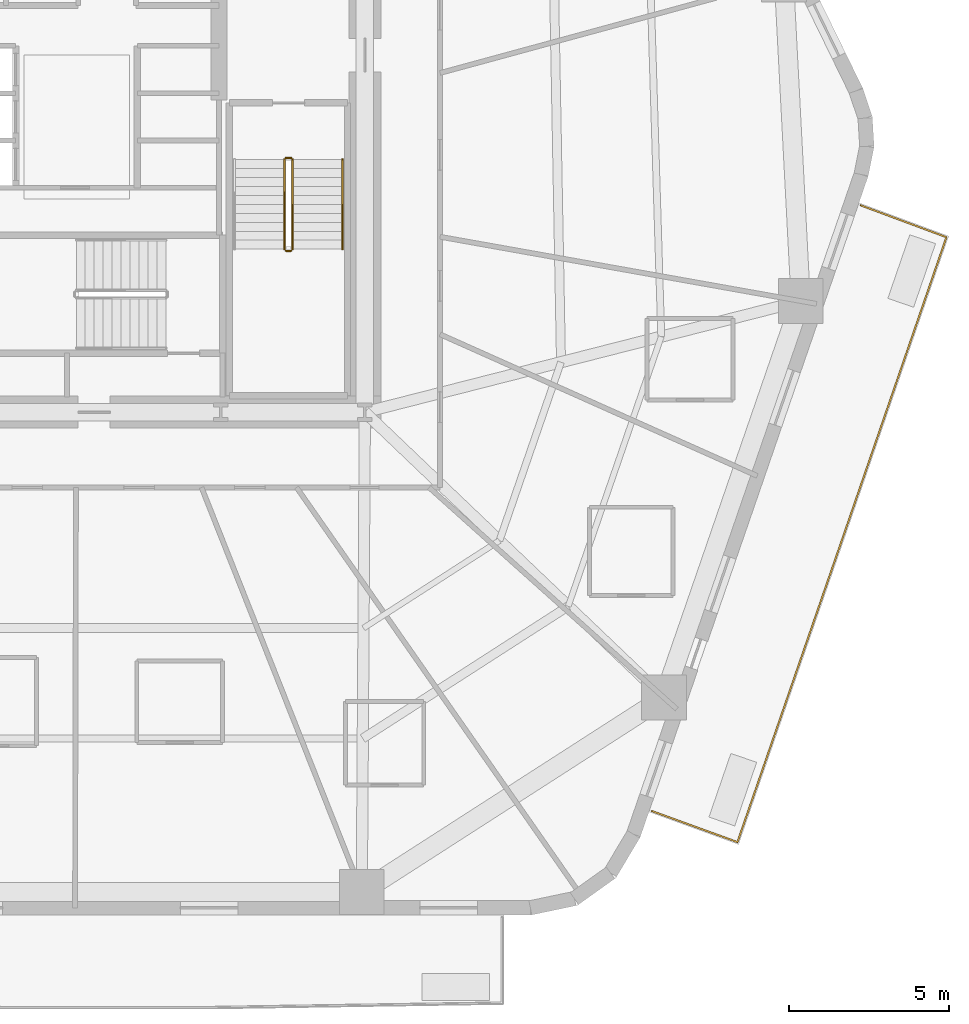
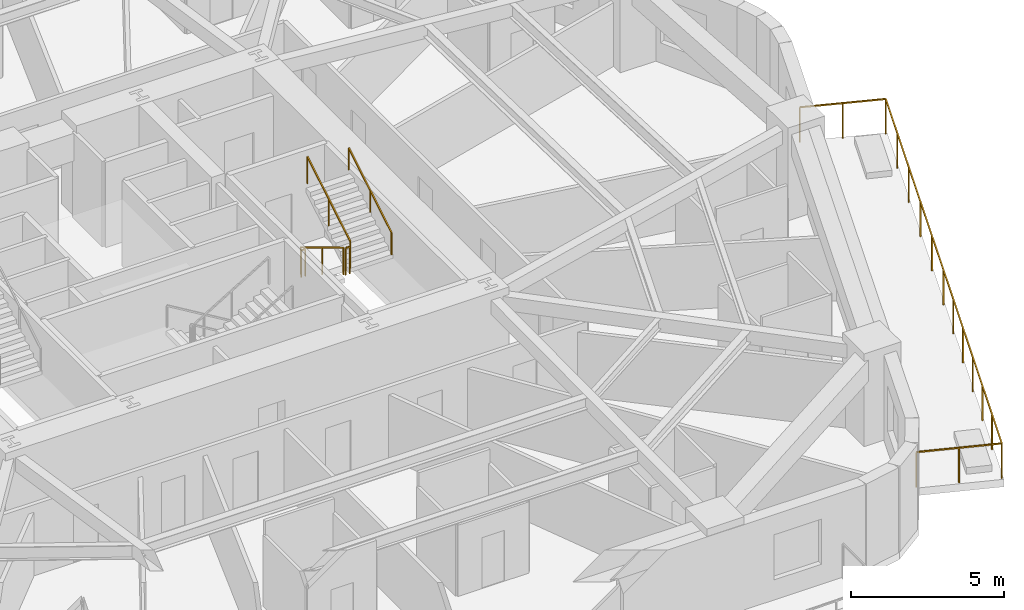
# One storey, part 10 of 11: 6 railings.
"""IFC4 building model written with IfcOpenShell, lengths in metres."""

from ifc_helpers import new_model, si_unit, direction, frame, origin, origin_2d, place, context, subcontext, project, spatial, rectangle, extrude, material, layer, layer_set, type_object, element, save


model = new_model("IFC4")

# Units and contexts
model_context = context("Model", 3, precision=1e-05, world=origin(), true_north=direction((0.0, 1.0)))
body_context = subcontext(model_context, "Body", "Model", "MODEL_VIEW")
ifc_project = project(units=[si_unit("LENGTHUNIT", "METRE"), si_unit("AREAUNIT", "SQUARE_METRE"), si_unit("VOLUMEUNIT", "CUBIC_METRE"), si_unit("PLANEANGLEUNIT", "RADIAN"), si_unit("MASSUNIT", "GRAM", prefix="KILO")], contexts=[model_context])

# Site, building, storey
site_placement = place(None, origin())
site = spatial("IfcSite", under=ifc_project, at=site_placement, CompositionType="ELEMENT")
building_placement = place(site_placement, origin())
building = spatial("IfcBuilding", under=site, at=building_placement, Name="Kilnhurst Terrace Hotel", CompositionType="ELEMENT")
storey_placement = place(building_placement, frame((0.0, 0.0, 34.199951171875)))
storey = spatial("IfcBuildingStorey", under=building, at=storey_placement, Name="L06", CompositionType="ELEMENT", Elevation=34.199951171875)

# Railings
ifc_material_1 = material(Name="Laminated SentryGlas and Stainless Steel AISI 316L Balustrade", Category="steel")
ifc_layer_1 = layer(ifc_material_1, 0.070068359375, Name="Laminated SentryGlas and Stainless Steel AISI 316L Balustrade")
ifc_layer_set_1 = layer_set([ifc_layer_1], Name="Laminated SentryGlas and Stainless Steel AISI 316L Balustrade")
railing_type_1 = type_object("IfcRailingType", Name="RLG-BAL-1420", PredefinedType="BALUSTRADE", material=ifc_layer_set_1)
railing_1_placement = place(storey_placement, frame((24.485107421875, -1.041748046875, 0.0)))
element("IfcRailing", 1, at=railing_1_placement, inside=storey, type_object=railing_type_1, Name="L06 Exterior Terrace Guardrail BAL-L1B.1", PredefinedType="BALUSTRADE", context=body_context, shape_type="SweptSolid", body=[
    extrude(rectangle(XDim=0.048095703125, YDim=0.048095703125, at=origin_2d()), frame((0.0, 0.0, 1.39599609375), z_axis=(0.937279097592, -0.348579823308, 0.0), x_axis=(0.348579823308, 0.937279097592, 0.0)), (0.0, 0.0, 1.0), 2.85205078125),
    extrude(rectangle(XDim=0.048095703125, YDim=0.048095703125, at=origin_2d()), frame((2.673095703125, -0.994140625, 1.39599609375), z_axis=(-0.326159116329, -0.945314884488, 0.0), x_axis=(0.945314884488, -0.326159116329, 0.0)), (0.0, 0.0, 1.0), 9.91650390625),
    extrude(rectangle(XDim=0.048095703125, YDim=0.048095703125, at=origin_2d()), frame((-0.561279296875, -10.368408203125, 1.39599609375), z_axis=(-0.326903959129, -0.945057565181, 0.0), x_axis=(0.945057565181, -0.326903959129, 0.0)), (0.0, 0.0, 1.0), 10.065673828125),
    extrude(rectangle(XDim=0.048095703125, YDim=0.048095703125, at=origin_2d()), frame((-3.851806640625, -19.881103515625, 1.39599609375), z_axis=(-0.939926315563, 0.341377388402, 0.0), x_axis=(-0.341377388402, -0.939926315563, 0.0)), (0.0, 0.0, 1.0), 2.84130859375),
    extrude(rectangle(XDim=0.0419921875, YDim=0.0419921875, at=origin_2d()), origin(), (0.0, 0.0, 1.0), 1.371826171875),
    extrude(rectangle(XDim=0.0419921875, YDim=0.0419921875, at=origin_2d()), frame((1.33642578125, -0.4970703125, 0.0)), (0.0, 0.0, 1.0), 1.371826171875),
    extrude(rectangle(XDim=0.0419921875, YDim=0.0419921875, at=origin_2d()), frame((2.673095703125, -0.994140625, 0.0)), (0.0, 0.0, 1.0), 1.371826171875),
    extrude(rectangle(XDim=0.0419921875, YDim=0.0419921875, at=origin_2d()), frame((2.026123046875, -2.868896484375, 0.0)), (0.0, 0.0, 1.0), 1.371826171875),
    extrude(rectangle(XDim=0.0419921875, YDim=0.0419921875, at=origin_2d()), frame((1.37939453125, -4.743896484375, 0.0)), (0.0, 0.0, 1.0), 1.371826171875),
    extrude(rectangle(XDim=0.0419921875, YDim=0.0419921875, at=origin_2d()), frame((0.732421875, -6.61865234375, 0.0)), (0.0, 0.0, 1.0), 1.371826171875),
    extrude(rectangle(XDim=0.0419921875, YDim=0.0419921875, at=origin_2d()), frame((0.085693359375, -8.49365234375, 0.0)), (0.0, 0.0, 1.0), 1.371826171875),
    extrude(rectangle(XDim=0.0419921875, YDim=0.0419921875, at=origin_2d()), frame((-0.561279296875, -10.368408203125, 0.0)), (0.0, 0.0, 1.0), 1.371826171875),
    extrude(rectangle(XDim=0.0419921875, YDim=0.0419921875, at=origin_2d()), frame((-1.109619140625, -11.953857421875, 0.0)), (0.0, 0.0, 1.0), 1.371826171875),
    extrude(rectangle(XDim=0.0419921875, YDim=0.0419921875, at=origin_2d()), frame((-1.658203125, -13.539306640625, 0.0)), (0.0, 0.0, 1.0), 1.371826171875),
    extrude(rectangle(XDim=0.0419921875, YDim=0.0419921875, at=origin_2d()), frame((-2.20654296875, -15.124755859375, 0.0)), (0.0, 0.0, 1.0), 1.371826171875),
    extrude(rectangle(XDim=0.0419921875, YDim=0.0419921875, at=origin_2d()), frame((-2.7548828125, -16.710205078125, 0.0)), (0.0, 0.0, 1.0), 1.371826171875),
    extrude(rectangle(XDim=0.0419921875, YDim=0.0419921875, at=origin_2d()), frame((-3.303466796875, -18.295654296875, 0.0)), (0.0, 0.0, 1.0), 1.371826171875),
    extrude(rectangle(XDim=0.0419921875, YDim=0.0419921875, at=origin_2d()), frame((-3.851806640625, -19.881103515625, 0.0)), (0.0, 0.0, 1.0), 1.371826171875),
    extrude(rectangle(XDim=0.0419921875, YDim=0.0419921875, at=origin_2d()), frame((-5.18701171875, -19.39599609375, 0.0)), (0.0, 0.0, 1.0), 1.371826171875),
    extrude(rectangle(XDim=0.0419921875, YDim=0.0419921875, at=origin_2d()), frame((-6.5224609375, -18.9111328125, 0.0)), (0.0, 0.0, 1.0), 1.371826171875),
])
ifc_material_2 = material(Name="Powder-Coated Steel ASTM A500 Grade B", Category="steel")
ifc_layer_2 = layer(ifc_material_2, 0.050048828125, Name="Powder-Coated Steel ASTM A500 Grade B")
ifc_layer_set_2 = layer_set([ifc_layer_2], Name="Powder-Coated Steel ASTM A500 Grade B")
railing_type_2 = type_object("IfcRailingType", Name="RLG-ST-GRD-1100", PredefinedType="GUARDRAIL", material=ifc_layer_set_2)
railing_2_placement = place(storey_placement, frame((6.489990234375, 0.389892578125, 0.168212890625)))
element("IfcRailing", 2, at=railing_2_placement, inside=storey, type_object=railing_type_2, Name="L06 ST-2 stair guard 1", PredefinedType="GUARDRAIL", context=body_context, shape_type="SweptSolid", body=[
    extrude(rectangle(XDim=0.048095703125, YDim=0.048095703125, at=origin_2d()), frame((0.0, 0.0, 1.076171875), z_axis=(0.0, -0.857222391501, 0.514946377315), x_axis=(1.0, 0.0, 0.0)), (0.0, 0.0, 1.0), 3.26611328125),
    extrude(rectangle(XDim=0.0419921875, YDim=0.0419921875, at=origin_2d()), origin(), (0.0, 0.0, 1.0), 1.052001953125),
    extrude(rectangle(XDim=0.0419921875, YDim=0.0419921875, at=origin_2d()), frame((0.0, -1.39990234375, 0.8408203125)), (0.0, 0.0, 1.0), 1.052001953125),
    extrude(rectangle(XDim=0.0419921875, YDim=0.0419921875, at=origin_2d()), frame((0.0, -2.7998046875, 1.681884765625)), (0.0, 0.0, 1.0), 1.052001953125),
])
railing_3_placement = place(storey_placement, frame((6.5400390625, -2.4599609375, 1.85009765625)))
element("IfcRailing", 3, at=railing_3_placement, inside=storey, type_object=railing_type_2, Name="L06 ST-2 stair guard 2", PredefinedType="GUARDRAIL", context=body_context, shape_type="SweptSolid", body=[
    extrude(rectangle(XDim=0.048095703125, YDim=0.048095703125, at=origin_2d()), frame((0.0, 0.0, 1.076171875), z_axis=(1.0, 0.0, 0.0), x_axis=(0.0, 1.0, 0.0)), (0.0, 0.0, 1.0), 0.14990234375),
    extrude(rectangle(XDim=0.0419921875, YDim=0.0419921875, at=origin_2d()), origin(), (0.0, 0.0, 1.0), 1.052001953125),
    extrude(rectangle(XDim=0.0419921875, YDim=0.0419921875, at=origin_2d()), frame((0.14990234375, 0.0, 0.0)), (0.0, 0.0, 1.0), 1.052001953125),
])
railing_4_placement = place(storey_placement, frame((6.739990234375, -2.409912109375, 2.018310546875)))
element("IfcRailing", 4, at=railing_4_placement, inside=storey, type_object=railing_type_2, Name="L06 ST-2 stair guard 3", PredefinedType="GUARDRAIL", context=body_context, shape_type="SweptSolid", body=[
    extrude(rectangle(XDim=0.048095703125, YDim=0.048095703125, at=origin_2d()), frame((0.0, 0.0, 1.076171875), z_axis=(0.0, 0.857255387014, 0.514891446264), x_axis=(-1.0, 0.0, 0.0)), (0.0, 0.0, 1.0), 3.26611328125),
    extrude(rectangle(XDim=0.0419921875, YDim=0.0419921875, at=origin_2d()), origin(), (0.0, 0.0, 1.0), 1.052001953125),
    extrude(rectangle(XDim=0.0419921875, YDim=0.0419921875, at=origin_2d()), frame((0.0, 1.39990234375, 0.8408203125)), (0.0, 0.0, 1.0), 1.052001953125),
    extrude(rectangle(XDim=0.0419921875, YDim=0.0419921875, at=origin_2d()), frame((0.0, 2.7998046875, 1.681640625)), (0.0, 0.0, 1.0), 1.052001953125),
])
railing_5_placement = place(storey_placement, frame((6.5400390625, 0.43994140625, 0.0)))
element("IfcRailing", 5, at=railing_5_placement, inside=storey, type_object=railing_type_2, Name="L06 ST-2 stair guard 4", PredefinedType="GUARDRAIL", context=body_context, shape_type="SweptSolid", body=[
    extrude(rectangle(XDim=0.048095703125, YDim=0.048095703125, at=origin_2d()), frame((0.0, 0.0, 1.076171875), z_axis=(1.0, 0.0, 0.0), x_axis=(0.0, 1.0, 0.0)), (0.0, 0.0, 1.0), 0.14990234375),
    extrude(rectangle(XDim=0.0419921875, YDim=0.0419921875, at=origin_2d()), origin(), (0.0, 0.0, 1.0), 1.052001953125),
    extrude(rectangle(XDim=0.0419921875, YDim=0.0419921875, at=origin_2d()), frame((0.14990234375, 0.0, 0.0)), (0.0, 0.0, 1.0), 1.052001953125),
])
ifc_material_3 = material(Name="Brushed Stainless Steel AISI 304", Category="steel")
ifc_layer_3 = layer(ifc_material_3, 0.048095703125, Name="Brushed Stainless Steel AISI 304")
ifc_layer_set_3 = layer_set([ifc_layer_3], Name="Brushed Stainless Steel AISI 304")
railing_type_3 = type_object("IfcRailingType", Name="RLG-ST-HRL-900", PredefinedType="HANDRAIL", material=ifc_layer_set_3)
railing_6_placement = place(storey_placement, frame((8.300048828125, -2.409912109375, 2.018310546875)))
element("IfcRailing", 6, at=railing_6_placement, inside=storey, type_object=railing_type_3, Name="L06 ST-2 stair handrail 2", PredefinedType="HANDRAIL", context=body_context, shape_type="SweptSolid", body=[
    extrude(rectangle(XDim=0.048095703125, YDim=0.048095703125, at=origin_2d()), frame((0.0, 0.0, 0.8759765625), z_axis=(0.0, 0.857255387014, 0.514891446264), x_axis=(-1.0, 0.0, 0.0)), (0.0, 0.0, 1.0), 3.26611328125),
    extrude(rectangle(XDim=0.0419921875, YDim=0.0419921875, at=origin_2d()), origin(), (0.0, 0.0, 1.0), 0.851806640625),
    extrude(rectangle(XDim=0.0419921875, YDim=0.0419921875, at=origin_2d()), frame((0.0, 1.39990234375, 0.8408203125)), (0.0, 0.0, 1.0), 0.851806640625),
    extrude(rectangle(XDim=0.0419921875, YDim=0.0419921875, at=origin_2d()), frame((0.0, 2.7998046875, 1.681640625)), (0.0, 0.0, 1.0), 0.851806640625),
])

save(model, "model.ifc")
